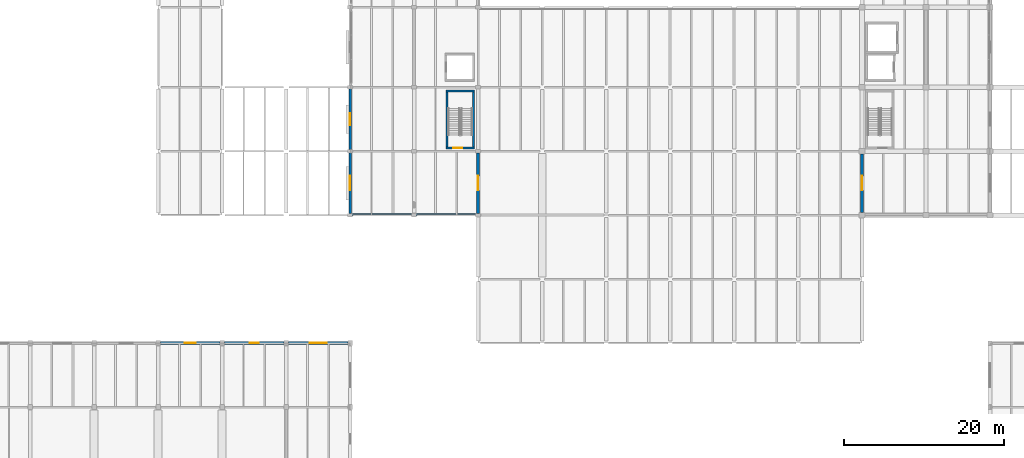
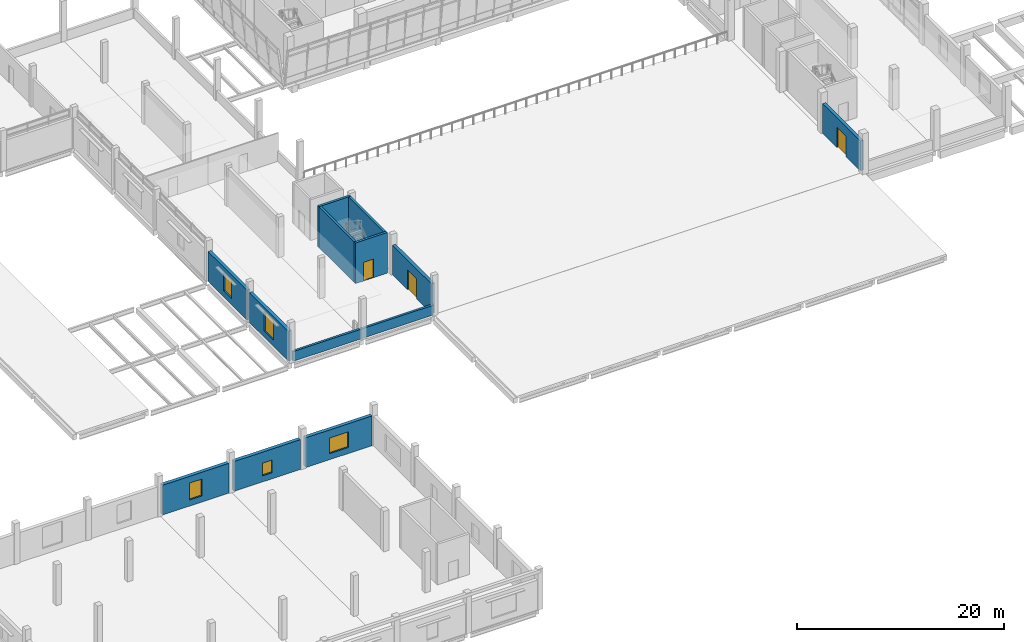
# One storey, part 29 of 52: 12 walls, 5 windows, 3 doors, 8 openings.
"""IFC4 building model written with IfcOpenShell, lengths in metres."""

from ifc_helpers import new_model, si_unit, direction, frame, frame_2d, origin, place, context, subcontext, project, spatial, rectangle, extrude, material, layer, layer_set, type_object, element, fill, save


model = new_model("IFC4")

# Units and contexts
model_context = context("Model", 3, precision=1e-05, world=origin(), true_north=direction((0.0, 1.0)))
body_context = subcontext(model_context, "Body", "Model", "MODEL_VIEW")
ifc_project = project(units=[si_unit("LENGTHUNIT", "METRE"), si_unit("AREAUNIT", "SQUARE_METRE"), si_unit("VOLUMEUNIT", "CUBIC_METRE"), si_unit("PLANEANGLEUNIT", "RADIAN"), si_unit("MASSUNIT", "GRAM", prefix="KILO")], contexts=[model_context])

# Site, building, storey
site_placement = place(None, origin())
site = spatial("IfcSite", under=ifc_project, at=site_placement, CompositionType="ELEMENT")
building_placement = place(site_placement, origin())
building = spatial("IfcBuilding", under=site, at=building_placement, Name="Pecanmere Concourse Central Library", CompositionType="ELEMENT")
storey_placement = place(building_placement, frame((0.0, 0.0, 10.5)))
storey = spatial("IfcBuildingStorey", under=building, at=storey_placement, Name="L03", CompositionType="ELEMENT", Elevation=10.5)

# Wall, opening, window
ifc_material_1 = material(Name="Texas cream limestone ashlar masonry", Category="masonry")
ifc_layer_1 = layer(ifc_material_1, 0.35009765625, Name="EW_LIME_350")
ifc_layer_set_1 = layer_set([ifc_layer_1], Name="Texas cream limestone ashlar masonry")
wall_type_1 = type_object("IfcWallType", Name="EW_LIME_350", PredefinedType="STANDARD", material=ifc_layer_set_1)
wall_1_placement = place(storey_placement, frame((48.0, 55.784912109375, 0.0), z_axis=(0.0, 0.0, 1.0), x_axis=(0.0, -1.0, 0.0)))
wall_1 = element("IfcWall", 1, at=wall_1_placement, inside=storey, type_object=wall_type_1, Name="Limestone Facade Wall L03-0158", PredefinedType="STANDARD", context=body_context, shape_type="SweptSolid", body=[
    extrude(rectangle(XDim=7.56982421875, YDim=0.35009765625, at=frame_2d((3.784912109375, 0.0))), origin(), (0.0, 0.0, 1.0), 3.52001953125),
])
opening_1_placement = place(wall_1_placement, frame((2.885009765625, 0.0, 0.719970703125)))
opening_1 = element("IfcOpeningElement", 2, at=opening_1_placement, cuts=wall_1, Name="Opening WN-04", PredefinedType="OPENING", context=body_context, shape_type="SweptSolid", body=[
    extrude(rectangle(XDim=1.800048828125, YDim=2.300048828125, at=frame_2d((0.89990234375, 1.14990234375))), frame((0.0, 0.18701171875, 0.0), z_axis=(0.0, -1.0, 0.0), x_axis=(1.0, 0.0, 0.0)), (0.0, 0.0, 1.0), 0.3740234375),
])
ifc_material_2 = material(Name="Low-iron clear insulated glazing", Category="glass")
window_type_1 = type_object("IfcWindowType", Name="WIN_1800x2300", PartitioningType="SINGLE_PANEL", PredefinedType="WINDOW", material=ifc_material_2)
window_1_placement = place(opening_1_placement, origin())
window_1 = element("IfcWindow", 3, at=window_1_placement, inside=storey, type_object=window_type_1, Name="WN-134", OverallHeight=2.300048828125, OverallWidth=1.800048828125, PartitioningType="SINGLE_PANEL", PredefinedType="WINDOW", context=body_context, shape_type="SweptSolid", body=[
    extrude(rectangle(XDim=1.800048828125, YDim=2.300048828125, at=frame_2d((0.89990234375, 1.14990234375))), frame((0.0, 0.030029296875, 0.0), z_axis=(0.0, -1.0, 0.0), x_axis=(1.0, 0.0, 0.0)), (0.0, 0.0, 1.0), 0.06005859375),
])
fill(opening_1, window_1)

wall_2_placement = place(storey_placement, frame((48.0, 63.784912109375, 0.0), z_axis=(0.0, 0.0, 1.0), x_axis=(0.0, -1.0, 0.0)))
wall_2 = element("IfcWall", 4, at=wall_2_placement, inside=storey, type_object=wall_type_1, Name="Limestone Facade Wall L03-0160", PredefinedType="STANDARD", context=body_context, shape_type="SweptSolid", body=[
    extrude(rectangle(XDim=7.56982421875, YDim=0.35009765625, at=frame_2d((3.784912109375, 0.0))), origin(), (0.0, 0.0, 1.0), 3.52001953125),
])
opening_2_placement = place(wall_2_placement, frame((3.034912109375, 0.0, 0.719970703125)))
opening_2 = element("IfcOpeningElement", 5, at=opening_2_placement, cuts=wall_2, Name="Opening WN-08", PredefinedType="OPENING", context=body_context, shape_type="SweptSolid", body=[
    extrude(rectangle(XDim=1.5, YDim=2.10009765625, at=frame_2d((0.75, 1.050048828125))), frame((0.0, 0.18701171875, 0.0), z_axis=(0.0, -1.0, 0.0), x_axis=(1.0, 0.0, 0.0)), (0.0, 0.0, 1.0), 0.3740234375),
])
ifc_material_3 = material(Name="Low-iron clear insulated glazing", Category="glass")
window_type_2 = type_object("IfcWindowType", Name="WIN_1500x2100", PartitioningType="SINGLE_PANEL", PredefinedType="WINDOW", material=ifc_material_3)
window_2_placement = place(opening_2_placement, origin())
window_2 = element("IfcWindow", 6, at=window_2_placement, inside=storey, type_object=window_type_2, Name="WN-136", OverallHeight=2.10009765625, OverallWidth=1.5, PartitioningType="SINGLE_PANEL", PredefinedType="WINDOW", context=body_context, shape_type="SweptSolid", body=[
    extrude(rectangle(XDim=1.5, YDim=2.10009765625, at=frame_2d((0.75, 1.050048828125))), frame((0.0, 0.030029296875, 0.0), z_axis=(0.0, -1.0, 0.0), x_axis=(1.0, 0.0, 0.0)), (0.0, 0.0, 1.0), 0.06005859375),
])
fill(opening_2, window_2)

# Wall, opening, door
wall_3_placement = place(storey_placement, frame((64.0, 48.215087890625, 0.0), z_axis=(0.0, 0.0, 1.0), x_axis=(0.0, 1.0, 0.0)))
wall_3 = element("IfcWall", 7, at=wall_3_placement, inside=storey, type_object=wall_type_1, Name="Limestone Facade Wall L03-0175", PredefinedType="STANDARD", context=body_context, shape_type="SweptSolid", body=[
    extrude(rectangle(XDim=7.56982421875, YDim=0.35009765625, at=frame_2d((3.784912109375, 0.0))), origin(), (0.0, 0.0, 1.0), 3.52001953125),
])
opening_3_placement = place(wall_3_placement, frame((2.885009765625, 0.0, 0.0)))
opening_3 = element("IfcOpeningElement", 8, at=opening_3_placement, cuts=wall_3, Name="Opening ED-03", PredefinedType="OPENING", context=body_context, shape_type="SweptSolid", body=[
    extrude(rectangle(XDim=1.800048828125, YDim=2.39990234375, at=frame_2d((0.89990234375, 1.199951171875))), frame((0.0, 0.18701171875, 0.0), z_axis=(0.0, -1.0, 0.0), x_axis=(1.0, 0.0, 0.0)), (0.0, 0.0, 1.0), 0.3740234375),
])
ifc_material_4 = material(Name="Architectural anodized bronze")
door_type_1 = type_object("IfcDoorType", Name="ED-03", OperationType="DOUBLE_DOOR_SINGLE_SWING", PredefinedType="DOOR", material=ifc_material_4)
door_1_placement = place(opening_3_placement, frame((1.800048828125, 0.0, 0.0), z_axis=(0.0, 0.0, 1.0), x_axis=(-1.0, 0.0, 0.0)))
door_1 = element("IfcDoor", 9, at=door_1_placement, inside=storey, type_object=door_type_1, Name="ED-017", OperationType="DOUBLE_DOOR_SINGLE_SWING", OverallHeight=2.39990234375, OverallWidth=1.800048828125, PredefinedType="DOOR", context=body_context, shape_type="SweptSolid", body=[
    extrude(rectangle(XDim=1.800048828125, YDim=2.39990234375, at=frame_2d((0.89990234375, 1.199951171875))), frame((0.0, 0.02490234375, 0.0), z_axis=(0.0, -1.0, 0.0), x_axis=(1.0, 0.0, 0.0)), (0.0, 0.0, 1.0), 0.050048828125),
])
fill(opening_3, door_1)

wall_4_placement = place(storey_placement, frame((112.0, 55.655029296875, 0.0), z_axis=(0.0, 0.0, 1.0), x_axis=(0.0, -1.0, 0.0)))
wall_4 = element("IfcWall", 10, at=wall_4_placement, inside=storey, type_object=wall_type_1, Name="Limestone Facade Wall L03-0176", PredefinedType="STANDARD", context=body_context, shape_type="SweptSolid", body=[
    extrude(rectangle(XDim=7.31005859375, YDim=0.35009765625, at=frame_2d((3.655029296875, 0.0))), origin(), (0.0, 0.0, 1.0), 3.52001953125),
])
opening_4_placement = place(wall_4_placement, frame((2.7548828125, 0.0, 0.0)))
opening_4 = element("IfcOpeningElement", 11, at=opening_4_placement, cuts=wall_4, Name="Opening ED-03", PredefinedType="OPENING", context=body_context, shape_type="SweptSolid", body=[
    extrude(rectangle(XDim=1.800048828125, YDim=2.39990234375, at=frame_2d((0.89990234375, 1.199951171875))), frame((0.0, 0.18701171875, 0.0), z_axis=(0.0, -1.0, 0.0), x_axis=(1.0, 0.0, 0.0)), (0.0, 0.0, 1.0), 0.3740234375),
])
door_2_placement = place(opening_4_placement, frame((1.800048828125, 0.0, 0.0), z_axis=(0.0, 0.0, 1.0), x_axis=(-1.0, 0.0, 0.0)))
door_2 = element("IfcDoor", 12, at=door_2_placement, inside=storey, type_object=door_type_1, Name="ED-018", OperationType="DOUBLE_DOOR_SINGLE_SWING", OverallHeight=2.39990234375, OverallWidth=1.800048828125, PredefinedType="DOOR", context=body_context, shape_type="SweptSolid", body=[
    extrude(rectangle(XDim=1.800048828125, YDim=2.39990234375, at=frame_2d((0.89990234375, 1.199951171875))), frame((0.0, 0.02490234375, 0.0), z_axis=(0.0, -1.0, 0.0), x_axis=(1.0, 0.0, 0.0)), (0.0, 0.0, 1.0), 0.050048828125),
])
fill(opening_4, door_2)

# Wall, opening, window
ifc_material_5 = material(Name="Texas cream limestone ashlar masonry", Category="masonry")
ifc_layer_2 = layer(ifc_material_5, 0.389892578125, Name="EW_LIME_390")
ifc_layer_set_2 = layer_set([ifc_layer_2], Name="Texas cream limestone ashlar masonry")
wall_type_2 = type_object("IfcWallType", Name="EW_LIME_390", PredefinedType="STANDARD", material=ifc_layer_set_2)
wall_5_placement = place(storey_placement, frame((31.705078125, 32.0, 0.0), z_axis=(0.0, 0.0, 1.0), x_axis=(-1.0, 0.0, 0.0)))
wall_5 = element("IfcWall", 13, at=wall_5_placement, inside=storey, type_object=wall_type_2, Name="Limestone Facade Wall L03-0097", PredefinedType="STANDARD", context=body_context, shape_type="SweptSolid", body=[
    extrude(rectangle(XDim=7.41015625, YDim=0.389892578125, at=frame_2d((3.705078125, 0.0))), origin(), (0.0, 0.0, 1.0), 3.52001953125),
])
opening_5_placement = place(wall_5_placement, frame((3.0048828125, 0.0, 0.719970703125)))
opening_5 = element("IfcOpeningElement", 14, at=opening_5_placement, cuts=wall_5, Name="Opening WN-10", PredefinedType="OPENING", context=body_context, shape_type="SweptSolid", body=[
    extrude(rectangle(XDim=1.39990234375, YDim=2.0, at=frame_2d((0.699951171875, 1.0))), frame((0.0, 0.20703125, 0.0), z_axis=(0.0, -1.0, 0.0), x_axis=(1.0, 0.0, 0.0)), (0.0, 0.0, 1.0), 0.413818359375),
])
ifc_material_6 = material(Name="Low-iron clear insulated glazing", Category="glass")
window_type_3 = type_object("IfcWindowType", Name="WIN_1400x2000", PartitioningType="SINGLE_PANEL", PredefinedType="WINDOW", material=ifc_material_6)
window_3_placement = place(opening_5_placement, origin())
window_3 = element("IfcWindow", 15, at=window_3_placement, inside=storey, type_object=window_type_3, Name="WN-082", OverallHeight=2.0, OverallWidth=1.39990234375, PartitioningType="SINGLE_PANEL", PredefinedType="WINDOW", context=body_context, shape_type="SweptSolid", body=[
    extrude(rectangle(XDim=1.39990234375, YDim=2.0, at=frame_2d((0.699951171875, 1.0))), frame((0.0, 0.030029296875, 0.0), z_axis=(0.0, -1.0, 0.0), x_axis=(1.0, 0.0, 0.0)), (0.0, 0.0, 1.0), 0.06005859375),
])
fill(opening_5, window_3)

wall_6_placement = place(storey_placement, frame((39.705078125, 32.0, 0.0), z_axis=(0.0, 0.0, 1.0), x_axis=(-1.0, 0.0, 0.0)))
wall_6 = element("IfcWall", 16, at=wall_6_placement, inside=storey, type_object=wall_type_2, Name="Limestone Facade Wall L03-0099", PredefinedType="STANDARD", context=body_context, shape_type="SweptSolid", body=[
    extrude(rectangle(XDim=7.41015625, YDim=0.389892578125, at=frame_2d((3.705078125, 0.0))), origin(), (0.0, 0.0, 1.0), 3.52001953125),
])
opening_6_placement = place(wall_6_placement, frame((3.155029296875, 0.0, 0.719970703125)))
opening_6 = element("IfcOpeningElement", 17, at=opening_6_placement, cuts=wall_6, Name="Opening WN-14", PredefinedType="OPENING", context=body_context, shape_type="SweptSolid", body=[
    extrude(rectangle(XDim=1.10009765625, YDim=1.5, at=frame_2d((0.550048828125, 0.75))), frame((0.0, 0.20703125, 0.0), z_axis=(0.0, -1.0, 0.0), x_axis=(1.0, 0.0, 0.0)), (0.0, 0.0, 1.0), 0.413818359375),
])
ifc_material_7 = material(Name="Low-iron clear insulated glazing", Category="glass")
window_type_4 = type_object("IfcWindowType", Name="WIN_1100x1500", PartitioningType="SINGLE_PANEL", PredefinedType="WINDOW", material=ifc_material_7)
window_4_placement = place(opening_6_placement, origin())
window_4 = element("IfcWindow", 18, at=window_4_placement, inside=storey, type_object=window_type_4, Name="WN-084", OverallHeight=1.5, OverallWidth=1.10009765625, PartitioningType="SINGLE_PANEL", PredefinedType="WINDOW", context=body_context, shape_type="SweptSolid", body=[
    extrude(rectangle(XDim=1.10009765625, YDim=1.5, at=frame_2d((0.550048828125, 0.75))), frame((0.0, 0.030029296875, 0.0), z_axis=(0.0, -1.0, 0.0), x_axis=(1.0, 0.0, 0.0)), (0.0, 0.0, 1.0), 0.06005859375),
])
fill(opening_6, window_4)

wall_7_placement = place(storey_placement, frame((47.705078125, 32.0, 0.0), z_axis=(0.0, 0.0, 1.0), x_axis=(-1.0, 0.0, 0.0)))
wall_7 = element("IfcWall", 19, at=wall_7_placement, inside=storey, type_object=wall_type_2, Name="Limestone Facade Wall L03-0101", PredefinedType="STANDARD", context=body_context, shape_type="SweptSolid", body=[
    extrude(rectangle(XDim=7.41015625, YDim=0.389892578125, at=frame_2d((3.705078125, 0.0))), origin(), (0.0, 0.0, 1.0), 3.52001953125),
])
opening_7_placement = place(wall_7_placement, frame((2.655029296875, 0.0, 0.719970703125)))
opening_7 = element("IfcOpeningElement", 20, at=opening_7_placement, cuts=wall_7, Name="Opening WN-18", PredefinedType="OPENING", context=body_context, shape_type="SweptSolid", body=[
    extrude(rectangle(XDim=2.10009765625, YDim=1.85009765625, at=frame_2d((1.050048828125, 0.925048828125))), frame((0.0, 0.20703125, 0.0), z_axis=(0.0, -1.0, 0.0), x_axis=(1.0, 0.0, 0.0)), (0.0, 0.0, 1.0), 0.413818359375),
])
ifc_material_8 = material(Name="Low-iron clear insulated glazing", Category="glass")
window_type_5 = type_object("IfcWindowType", Name="WIN_2100x1850", PartitioningType="SINGLE_PANEL", PredefinedType="WINDOW", material=ifc_material_8)
window_5_placement = place(opening_7_placement, origin())
window_5 = element("IfcWindow", 21, at=window_5_placement, inside=storey, type_object=window_type_5, Name="WN-086", OverallHeight=1.85009765625, OverallWidth=2.10009765625, PartitioningType="SINGLE_PANEL", PredefinedType="WINDOW", context=body_context, shape_type="SweptSolid", body=[
    extrude(rectangle(XDim=2.10009765625, YDim=1.85009765625, at=frame_2d((1.050048828125, 0.925048828125))), frame((0.0, 0.030029296875, 0.0), z_axis=(0.0, -1.0, 0.0), x_axis=(1.0, 0.0, 0.0)), (0.0, 0.0, 1.0), 0.06005859375),
])
fill(opening_7, window_5)

# Wall
ifc_material_9 = material(Name="Texas cream limestone ashlar masonry", Category="masonry")
ifc_layer_3 = layer(ifc_material_9, 0.25, Name="PW_PARA_250")
ifc_layer_set_3 = layer_set([ifc_layer_3], Name="Texas cream limestone ashlar masonry")
wall_type_3 = type_object("IfcWallType", Name="PW_PARA_250", PredefinedType="PARAPET", material=ifc_layer_set_3)
wall_8_placement = place(storey_placement, frame((63.919921875, 48.070068359375, 0.0), z_axis=(0.0, 0.0, 1.0), x_axis=(-1.0, 0.0, 0.0)))
element("IfcWall", 22, at=wall_8_placement, inside=storey, type_object=wall_type_3, Name="Step-Back Parapet Wall L03-128", PredefinedType="PARAPET", context=body_context, shape_type="SweptSolid", body=[
    extrude(rectangle(XDim=15.7197265625, YDim=0.25, at=frame_2d((7.85986328125, 0.0))), origin(), (0.0, 0.0, 1.0), 1.14990234375),
])

# Wall, opening, door
ifc_material_10 = material(Name="Concrete C40/50", Category="concrete")
ifc_layer_4 = layer(ifc_material_10, 0.260009765625, Name="WALL_SLD_260")
ifc_layer_set_4 = layer_set([ifc_layer_4], Name="Concrete C40/50")
wall_type_4 = type_object("IfcWallType", Name="WALL_SLD_260", PredefinedType="SOLIDWALL", material=ifc_layer_set_4)
wall_9_placement = place(storey_placement, frame((59.97998046875, 56.419921875, 0.0), z_axis=(0.0, 0.0, 1.0), x_axis=(1.0, 0.0, 0.0)))
wall_9 = element("IfcWall", 23, at=wall_9_placement, inside=storey, type_object=wall_type_4, Name="Core C6 South Wall L03", PredefinedType="SOLIDWALL", context=body_context, shape_type="SweptSolid", body=[
    extrude(rectangle(XDim=3.580078125, YDim=0.260009765625, at=frame_2d((1.7900390625, 0.0))), origin(), (0.0, 0.0, 1.0), 4.800048828125),
])
opening_8_placement = place(wall_9_placement, frame((0.919921875, 0.0, 0.0)))
opening_8 = element("IfcOpeningElement", 24, at=opening_8_placement, cuts=wall_9, Name="Opening FD-02", PredefinedType="OPENING", context=body_context, shape_type="SweptSolid", body=[
    extrude(rectangle(XDim=1.10009765625, YDim=2.199951171875, at=frame_2d((0.550048828125, 1.10009765625))), frame((0.0, 0.14208984375, 0.0), z_axis=(0.0, -1.0, 0.0), x_axis=(1.0, 0.0, 0.0)), (0.0, 0.0, 1.0), 0.283935546875),
])
ifc_material_11 = material(Name="Painted architectural steel ASTM A36", Category="steel")
door_type_2 = type_object("IfcDoorType", Name="FD-02", OperationType="SINGLE_SWING_RIGHT", PredefinedType="DOOR", material=ifc_material_11)
door_3_placement = place(opening_8_placement, origin())
door_3 = element("IfcDoor", 25, at=door_3_placement, inside=storey, type_object=door_type_2, Name="D-042", OperationType="SINGLE_SWING_RIGHT", OverallHeight=2.199951171875, OverallWidth=1.10009765625, PredefinedType="DOOR", context=body_context, shape_type="SweptSolid", body=[
    extrude(rectangle(XDim=1.10009765625, YDim=2.199951171875, at=frame_2d((0.550048828125, 1.10009765625))), frame((0.0, 0.02490234375, 0.0), z_axis=(0.0, -1.0, 0.0), x_axis=(1.0, 0.0, 0.0)), (0.0, 0.0, 1.0), 0.050048828125),
])
fill(opening_8, door_3)

# Walls
wall_10_placement = place(storey_placement, frame((59.97998046875, 63.5, 0.0), z_axis=(0.0, 0.0, 1.0), x_axis=(1.0, 0.0, 0.0)))
element("IfcWall", 26, at=wall_10_placement, inside=storey, type_object=wall_type_4, Name="Core C6 North Wall L03", PredefinedType="SOLIDWALL", context=body_context, shape_type="SweptSolid", body=[
    extrude(rectangle(XDim=3.580078125, YDim=0.260009765625, at=frame_2d((1.7900390625, 0.0))), origin(), (0.0, 0.0, 1.0), 4.800048828125),
])
for number, where, z_axis, x_axis, name in (
    (27, (60.110107421875, 56.550048828125, 0.0), (0.0, 0.0, 1.0), (0.0, 1.0, 0.0), "Core C6 W Wall L03"),
    (28, (63.429931640625, 56.550048828125, 0.0), (0.0, 0.0, 1.0), (0.0, 1.0, 0.0), "Core C6 E Wall L03"),
):
    element("IfcWall", number, at=place(storey_placement, frame(where, z_axis=z_axis, x_axis=x_axis)), inside=storey, type_object=wall_type_4, Name=name, PredefinedType="SOLIDWALL", context=body_context, shape_type="SweptSolid", body=[
        extrude(rectangle(XDim=6.820068359375, YDim=0.260009765625, at=frame_2d((3.41015625, 0.0))), origin(), (0.0, 0.0, 1.0), 4.800048828125),
    ])

save(model, "model.ifc")
